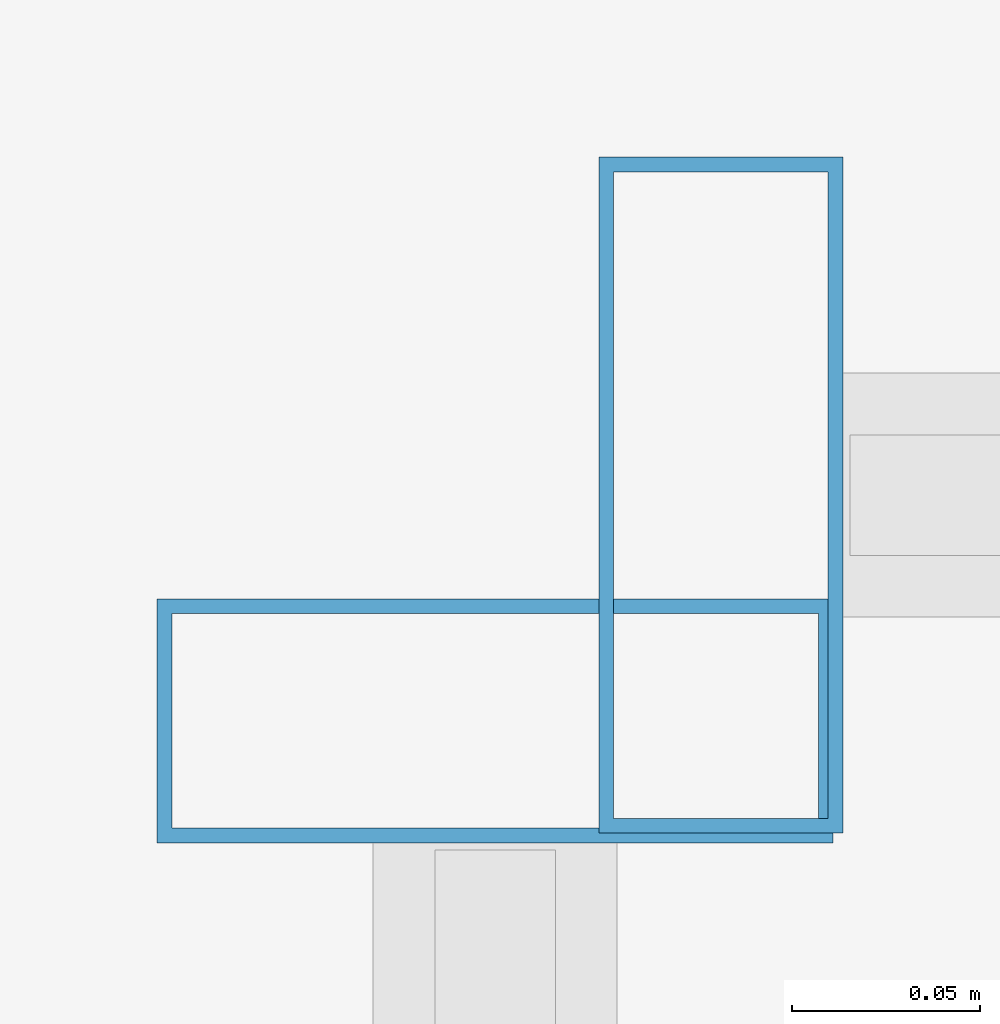
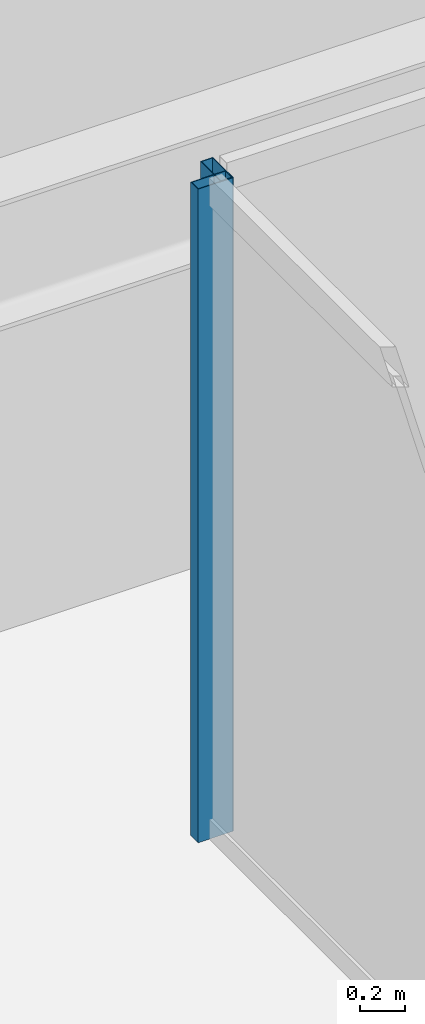
# One storey, part 11 of 37: 2 members, 2 elements without a shape of their own.
"""IFC4 building model written with IfcOpenShell, lengths in metres."""

from ifc_helpers import new_model, si_unit, direction, frame, origin, origin_2d, place, context, subcontext, project, spatial, hollow_rectangle, extrude, material, material_profile, profile_set, type_object, element, aggregate, save


model = new_model("IFC4")

# Units and contexts
model_context = context("Model", 3, precision=1e-05, world=origin(), true_north=direction((0.0, 1.0)))
body_context = subcontext(model_context, "Body", "Model", "MODEL_VIEW")
ifc_project = project(units=[si_unit("LENGTHUNIT", "METRE"), si_unit("AREAUNIT", "SQUARE_METRE"), si_unit("VOLUMEUNIT", "CUBIC_METRE"), si_unit("PLANEANGLEUNIT", "RADIAN"), si_unit("MASSUNIT", "GRAM", prefix="KILO")], contexts=[model_context])

# Site, building, storey
site_placement = place(None, origin())
site = spatial("IfcSite", under=ifc_project, at=site_placement, CompositionType="ELEMENT")
building_placement = place(site_placement, origin())
building = spatial("IfcBuilding", under=site, at=building_placement, Name="Saevonmaru Cultural Tower", CompositionType="ELEMENT")
storey_placement = place(building_placement, frame((0.0, 0.0, 144.800048828125)))
storey = spatial("IfcBuildingStorey", under=building, at=storey_placement, Name="L31", CompositionType="ELEMENT", Elevation=144.800048828125)

# Curtain wall, member
ifc_material = material(Name="Satin Bronze Anodised Aluminium", Category="aluminium")
curtain_wall_type = type_object("IfcCurtainWallType", Name="CW-ATR-GLZ", PredefinedType="NOTDEFINED", material=ifc_material)
curtain_wall_1_placement = place(storey_placement, origin())
curtain_wall_1 = element("IfcCurtainWall", 1, at=curtain_wall_1_placement, inside=storey, type_object=curtain_wall_type, Name="L31 Vertical Atrium Glazed Smoke Screen 3", PredefinedType="NOTDEFINED")
ifc_material_profile = material_profile(ifc_material, hollow_rectangle(XDim=0.06494140625, YDim=0.179931640625, WallThickness=0.00390625, at=origin_2d()), Name="ALU-MULL-180x65x4")
ifc_profile_set = profile_set([ifc_material_profile], Name="Satin Bronze Anodised Aluminium")
member_type = type_object("IfcMemberType", Name="ML-CW-INT-180x65", PredefinedType="MULLION", material=ifc_profile_set)
member_1_placement = place(storey_placement, frame((24.110107421875, 37.31005859375, 0.0), z_axis=(0.0, 0.0, 1.0), x_axis=(-1.0, 0.0, 0.0)))
member_1 = element("IfcMember", 2, at=member_1_placement, type_object=member_type, Name="CW-ATR-L31-3 mullion 2", PredefinedType="MULLION", context=body_context, shape_type="SweptSolid", body=[
    extrude(hollow_rectangle(XDim=0.06494140625, YDim=0.179931640625, WallThickness=0.00390625, at=origin_2d()), origin(), (0.0, 0.0, 1.0), 3.550048828125),
])
aggregate(curtain_wall_1, [member_1])

curtain_wall_2_placement = place(storey_placement, origin())
curtain_wall_2 = element("IfcCurtainWall", 3, at=curtain_wall_2_placement, inside=storey, type_object=curtain_wall_type, Name="L31 Vertical Atrium Glazed Smoke Screen 4", PredefinedType="NOTDEFINED")
member_2_placement = place(storey_placement, frame((24.050048828125, 37.25, 0.0), z_axis=(0.0, 0.0, 1.0), x_axis=(0.0, -1.0, 0.0)))
member_2 = element("IfcMember", 4, at=member_2_placement, type_object=member_type, Name="CW-ATR-L31-4 mullion 1", PredefinedType="MULLION", context=body_context, shape_type="SweptSolid", body=[
    extrude(hollow_rectangle(XDim=0.06494140625, YDim=0.179931640625, WallThickness=0.00390625, at=origin_2d()), origin(), (0.0, 0.0, 1.0), 3.550048828125),
])
aggregate(curtain_wall_2, [member_2])

save(model, "model.ifc")
